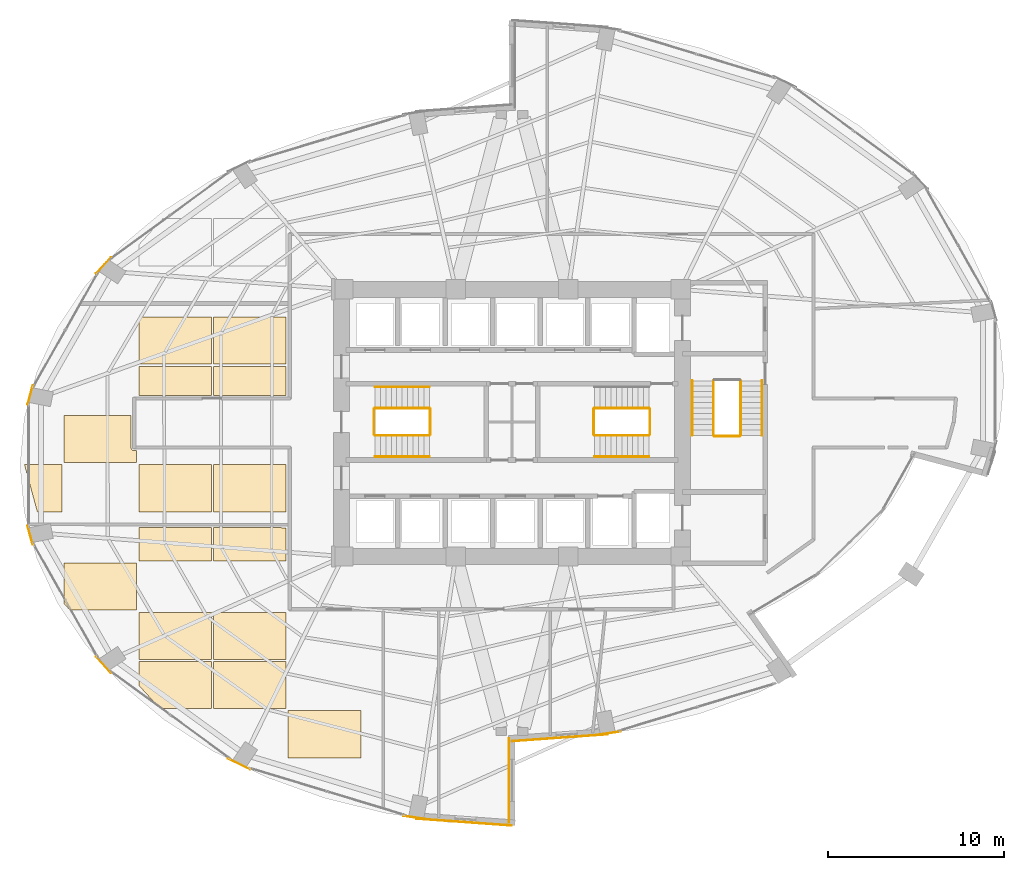
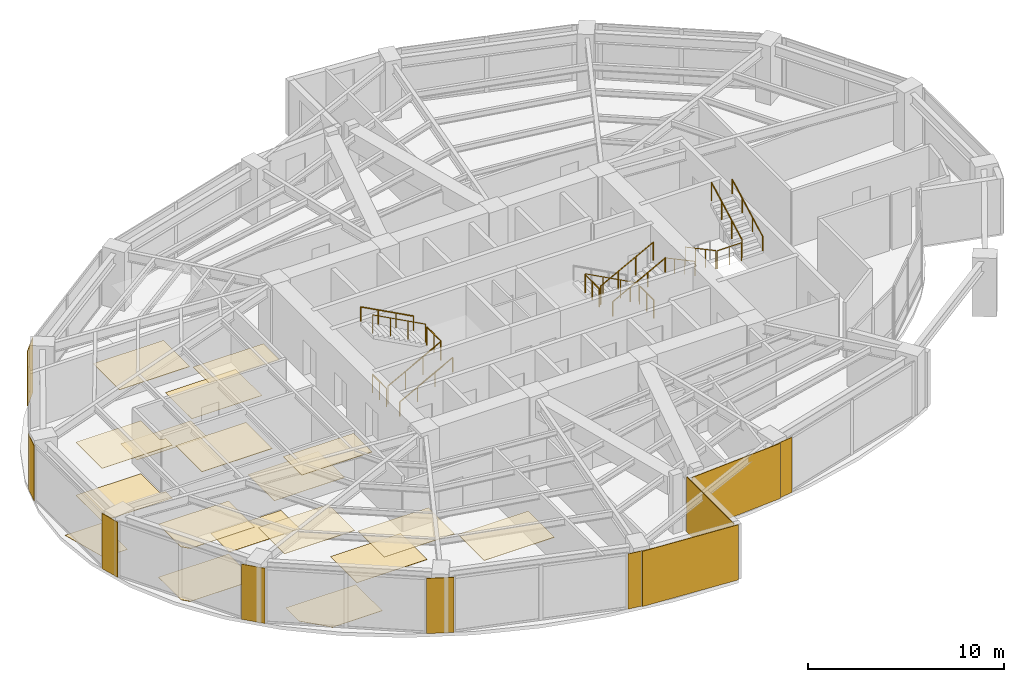
# One storey, part 23 of 24: 28 coverings, 16 railings.
"""IFC4 building model written with IfcOpenShell, lengths in metres."""

from ifc_helpers import new_model, si_unit, direction, frame, origin, origin_2d, place, context, subcontext, project, spatial, polyline, rectangle, circle, outline, extrude, material, layer, layer_set, type_object, element, save


model = new_model("IFC4")

# Units and contexts
model_context = context("Model", 3, precision=1e-05, world=origin(), true_north=direction((0.0, 1.0)))
body_context = subcontext(model_context, "Body", "Model", "MODEL_VIEW")
ifc_project = project(units=[si_unit("LENGTHUNIT", "METRE"), si_unit("AREAUNIT", "SQUARE_METRE"), si_unit("VOLUMEUNIT", "CUBIC_METRE"), si_unit("PLANEANGLEUNIT", "RADIAN"), si_unit("MASSUNIT", "GRAM", prefix="KILO")], contexts=[model_context])

# Site, building, storey
site_placement = place(None, origin())
site = spatial("IfcSite", under=ifc_project, at=site_placement, CompositionType="ELEMENT")
building_placement = place(site_placement, origin())
building = spatial("IfcBuilding", under=site, at=building_placement, Name="Lazwardi Medical Tower", CompositionType="ELEMENT")
storey_placement = place(building_placement, frame((0.0, 0.0, 61.679931640625)))
storey = spatial("IfcBuildingStorey", under=building, at=storey_placement, Name="L15", CompositionType="ELEMENT", Elevation=61.679931640625)

# Coverings
ifc_material_1 = material(Name="Anodised bronze aluminium cassette cladding", Category="aluminium")
ifc_layer_1 = layer(ifc_material_1, 0.030029296875)
ifc_layer_set_1 = layer_set([ifc_layer_1], Name="Anodised bronze aluminium cassette cladding")
covering_type_1 = type_object("IfcCoveringType", Name="COV-CLD-BRZ", PredefinedType="CLADDING", material=ifc_layer_set_1)
covering_1_placement = place(storey_placement, frame((41.454345703125, 10.33251953125, 0.0), z_axis=(0.0, 0.0, 1.0), x_axis=(0.98957259946, 0.144034962415, 0.0)))
element("IfcCovering", 1, at=covering_1_placement, inside=storey, type_object=covering_type_1, Name="L15 Mega-column bronze cassette cover M01", PredefinedType="CLADDING", context=body_context, shape_type="SweptSolid", body=[
    extrude(rectangle(XDim=1.49951171875, YDim=0.030029296875, at=origin_2d()), origin(), (0.0, 0.0, 1.0), 3.427978515625),
])
covering_2_placement = place(storey_placement, frame((12.75390625, 36.96728515625, 0.0), z_axis=(0.0, 0.0, 1.0), x_axis=(-0.674252120961, -0.738501237223, 0.0)))
element("IfcCovering", 2, at=covering_2_placement, inside=storey, type_object=covering_type_1, Name="L15 Mega-column bronze cassette cover M11", PredefinedType="CLADDING", context=body_context, shape_type="SweptSolid", body=[
    extrude(rectangle(XDim=1.24658203125, YDim=0.030029296875, at=origin_2d()), origin(), (0.0, 0.0, 1.0), 3.427978515625),
])
for number, where, z_axis, x_axis, name in (
    (3, (8.579345703125, 29.591796875, 0.0), (0.0, 0.0, 1.0), (-0.262283496593, -0.964990863902, 0.0), "L15 Mega-column bronze cassette cover M12"),
    (4, (8.579345703125, 21.6083984375, 0.0), (0.0, 0.0, 1.0), (0.262283496593, -0.964990863902, 0.0), "L15 Mega-column bronze cassette cover M13"),
):
    element("IfcCovering", number, at=place(storey_placement, frame(where, z_axis=z_axis, x_axis=x_axis)), inside=storey, type_object=covering_type_1, Name=name, PredefinedType="CLADDING", context=body_context, shape_type="SweptSolid", body=[
        extrude(rectangle(XDim=1.12548828125, YDim=0.030029296875, at=origin_2d()), origin(), (0.0, 0.0, 1.0), 3.427978515625),
    ])
covering_3_placement = place(storey_placement, frame((12.75390625, 14.232666015625, 0.0), z_axis=(0.0, 0.0, 1.0), x_axis=(0.674252120961, -0.738501237223, 0.0)))
element("IfcCovering", 5, at=covering_3_placement, inside=storey, type_object=covering_type_1, Name="L15 Mega-column bronze cassette cover M14", PredefinedType="CLADDING", context=body_context, shape_type="SweptSolid", body=[
    extrude(rectangle(XDim=1.24658203125, YDim=0.030029296875, at=origin_2d()), origin(), (0.0, 0.0, 1.0), 3.427978515625),
])
covering_4_placement = place(storey_placement, frame((20.467529296875, 8.587646484375, 0.0), z_axis=(0.0, 0.0, 1.0), x_axis=(0.898334492373, -0.439312121178, 0.0)))
element("IfcCovering", 6, at=covering_4_placement, inside=storey, type_object=covering_type_1, Name="L15 Mega-column bronze cassette cover M15", PredefinedType="CLADDING", context=body_context, shape_type="SweptSolid", body=[
    extrude(rectangle(XDim=1.400390625, YDim=0.030029296875, at=origin_2d()), origin(), (0.0, 0.0, 1.0), 3.427978515625),
])
covering_5_placement = place(storey_placement, frame((30.545654296875, 5.53271484375, 0.0), z_axis=(0.0, 0.0, 1.0), x_axis=(0.98957259946, -0.144034962415, 0.0)))
element("IfcCovering", 7, at=covering_5_placement, inside=storey, type_object=covering_type_1, Name="L15 Mega-column bronze cassette cover M16", PredefinedType="CLADDING", context=body_context, shape_type="SweptSolid", body=[
    extrude(rectangle(XDim=1.49951171875, YDim=0.030029296875, at=origin_2d()), origin(), (0.0, 0.0, 1.0), 3.427978515625),
])
ifc_material_2 = material(Name="Turquoise glazed ceramic tilework cladding", Category="masonry")
ifc_layer_2 = layer(ifc_material_2, 0.034912109375)
ifc_layer_set_2 = layer_set([ifc_layer_2], Name="Turquoise glazed ceramic tilework cladding")
covering_type_2 = type_object("IfcCoveringType", Name="COV-CLD-TRQ", PredefinedType="CLADDING", material=ifc_layer_set_2)
covering_6_placement = place(storey_placement, frame((38.728271484375, 10.080322265625, 0.0), z_axis=(0.0, 0.0, 1.0), x_axis=(0.997421404513, 0.071767275412, 0.0)))
element("IfcCovering", 8, at=covering_6_placement, inside=storey, type_object=covering_type_2, Name="L15 Turquoise glazed ceramic tilework cladding", PredefinedType="CLADDING", context=body_context, shape_type="SweptSolid", body=[
    extrude(rectangle(XDim=5.4453125, YDim=0.034912109375, at=origin_2d()), origin(), (0.0, 0.0, 1.0), 3.427978515625),
])
covering_7_placement = place(storey_placement, frame((33.271484375, 5.280517578125, 0.0), z_axis=(0.0, 0.0, 1.0), x_axis=(0.997420903458, -0.071774238726, 0.0)))
element("IfcCovering", 9, at=covering_7_placement, inside=storey, type_object=covering_type_2, Name="L15 Turquoise glazed ceramic tilework cladding", PredefinedType="CLADDING", context=body_context, shape_type="SweptSolid", body=[
    extrude(rectangle(XDim=5.44482421875, YDim=0.034912109375, at=origin_2d()), origin(), (0.0, 0.0, 1.0), 3.427978515625),
])
covering_8_placement = place(storey_placement, frame((35.824462890625, 7.659912109375, 0.0), z_axis=(0.0, 0.0, 1.0), x_axis=(0.0, 1.0, 0.0)))
element("IfcCovering", 10, at=covering_8_placement, inside=storey, type_object=covering_type_2, Name="L15 Turquoise glazed ceramic tilework iwan panel", PredefinedType="CLADDING", context=body_context, shape_type="SweptSolid", body=[
    extrude(rectangle(XDim=4.800048828125, YDim=0.034912109375, at=origin_2d()), origin(), (0.0, 0.0, 1.0), 3.427978515625),
])
ifc_material_3 = material(Name="Acoustic mineral fibre tile")
ifc_layer_3 = layer(ifc_material_3, 0.02490234375)
ifc_layer_set_3 = layer_set([ifc_layer_3], Name="Acoustic mineral fibre tile")
covering_type_3 = type_object("IfcCoveringType", Name="COV-CLG-01", PredefinedType="CEILING", material=ifc_layer_set_3)
covering_9_placement = place(storey_placement, frame((0.0, 0.0, 3.282958984375)))
element("IfcCovering", 11, at=covering_9_placement, inside=storey, type_object=covering_type_3, Name="L15 Clinical Acoustic Ceiling 1", PredefinedType="CEILING", context=body_context, shape_type="SweptSolid", body=[
    extrude(outline(polyline([(10.512939453125, 17.707275390625), (10.846435546875, 17.342529296875), (14.642822265625, 17.342529296875), (14.642822265625, 20.0224609375), (10.512939453125, 20.0224609375), (10.512939453125, 17.707275390625)])), origin(), (0.0, 0.0, 1.0), 0.025146484375),
])
covering_10_placement = place(storey_placement, frame((0.0, 0.0, 3.282958984375)))
element("IfcCovering", 12, at=covering_10_placement, inside=storey, type_object=covering_type_3, Name="L15 Clinical Acoustic Ceiling 2", PredefinedType="CEILING", context=body_context, shape_type="SweptSolid", body=[
    extrude(outline(polyline([(14.642822265625, 26.425048828125), (14.5, 26.425048828125), (14.49560546875, 26.425048828125), (14.486328125, 26.425537109375), (14.4794921875, 26.42626953125), (14.47021484375, 26.427490234375), (14.4619140625, 26.42919921875), (14.452880859375, 26.431396484375), (14.44580078125, 26.43359375), (14.43701171875, 26.436767578125), (14.42919921875, 26.43994140625), (14.4208984375, 26.444091796875), (14.4140625, 26.447509765625), (14.406005859375, 26.452392578125), (14.3994140625, 26.456787109375), (14.391845703125, 26.46240234375), (14.38623046875, 26.467041015625), (14.37939453125, 26.473388671875), (14.373291015625, 26.479248046875), (14.3671875, 26.486083984375), (14.362548828125, 26.49169921875), (14.35693359375, 26.499267578125), (14.352294921875, 26.506103515625), (14.34765625, 26.513916015625), (14.343994140625, 26.520751953125), (14.340087890625, 26.529296875), (14.336669921875, 26.537109375), (14.33349609375, 26.5458984375), (14.33154296875, 26.552734375), (14.3291015625, 26.56201171875), (14.32763671875, 26.5703125), (14.326416015625, 26.57958984375), (14.32568359375, 26.58642578125), (14.3251953125, 26.595703125), (14.324951171875, 26.60009765625), (14.324951171875, 28.422607421875), (10.512939453125, 28.422607421875), (10.512939453125, 25.742431640625), (14.642822265625, 25.742431640625), (14.642822265625, 26.425048828125)])), origin(), (0.0, 0.0, 1.0), 0.025146484375),
])
covering_11_placement = place(storey_placement, frame((0.0, 0.0, 3.282958984375)))
element("IfcCovering", 13, at=covering_11_placement, inside=storey, type_object=covering_type_3, Name="L15 Clinical Acoustic Ceiling 3", PredefinedType="CEILING", context=body_context, shape_type="SweptSolid", body=[
    extrude(outline(polyline([(18.892822265625, 14.54248046875), (18.892822265625, 17.222412109375), (14.762939453125, 17.222412109375), (14.762939453125, 14.54248046875), (18.892822265625, 14.54248046875)])), origin(), (0.0, 0.0, 1.0), 0.025146484375),
])
covering_12_placement = place(storey_placement, frame((0.0, 0.0, 3.282958984375)))
element("IfcCovering", 14, at=covering_12_placement, inside=storey, type_object=covering_type_3, Name="L15 Clinical Acoustic Ceiling 4", PredefinedType="CEILING", context=body_context, shape_type="SweptSolid", body=[
    extrude(outline(polyline([(18.892822265625, 22.9423828125), (18.892822265625, 25.62255859375), (14.762939453125, 25.62255859375), (14.762939453125, 22.9423828125), (18.892822265625, 22.9423828125)])), origin(), (0.0, 0.0, 1.0), 0.025146484375),
])
covering_13_placement = place(storey_placement, frame((0.0, 0.0, 3.282958984375)))
element("IfcCovering", 15, at=covering_13_placement, inside=storey, type_object=covering_type_3, Name="L15 Clinical Acoustic Ceiling 5", PredefinedType="CEILING", context=body_context, shape_type="SweptSolid", body=[
    extrude(outline(polyline([(18.892822265625, 31.342529296875), (18.892822265625, 34.0224609375), (14.762939453125, 34.0224609375), (14.762939453125, 31.342529296875), (18.892822265625, 31.342529296875)])), origin(), (0.0, 0.0, 1.0), 0.025146484375),
])
covering_14_placement = place(storey_placement, frame((0.0, 0.0, 3.282958984375)))
element("IfcCovering", 16, at=covering_14_placement, inside=storey, type_object=covering_type_3, Name="L15 Clinical Acoustic Ceiling 6", PredefinedType="CEILING", context=body_context, shape_type="SweptSolid", body=[
    extrude(outline(polyline([(23.142822265625, 11.742431640625), (23.142822265625, 14.422607421875), (19.012939453125, 14.422607421875), (19.012939453125, 11.742431640625), (23.142822265625, 11.742431640625)])), origin(), (0.0, 0.0, 1.0), 0.025146484375),
])
covering_15_placement = place(storey_placement, frame((0.0, 0.0, 3.282958984375)))
element("IfcCovering", 17, at=covering_15_placement, inside=storey, type_object=covering_type_3, Name="L15 Clinical Acoustic Ceiling 7", PredefinedType="CEILING", context=body_context, shape_type="SweptSolid", body=[
    extrude(outline(polyline([(23.142822265625, 22.035400390625), (19.012939453125, 22.044189453125), (19.012939453125, 20.142578125), (23.142822265625, 20.142578125), (23.142822265625, 22.035400390625)])), origin(), (0.0, 0.0, 1.0), 0.025146484375),
])
covering_16_placement = place(storey_placement, frame((0.0, 0.0, 3.282958984375)))
element("IfcCovering", 18, at=covering_16_placement, inside=storey, type_object=covering_type_3, Name="L15 Clinical Acoustic Ceiling 8", PredefinedType="CEILING", context=body_context, shape_type="SweptSolid", body=[
    extrude(outline(polyline([(19.012939453125, 29.574951171875), (23.142822265625, 29.574951171875), (23.142822265625, 31.222412109375), (19.012939453125, 31.222412109375), (19.012939453125, 29.574951171875)])), origin(), (0.0, 0.0, 1.0), 0.025146484375),
])
covering_17_placement = place(storey_placement, frame((0.0, 0.0, 3.282958984375)))
element("IfcCovering", 19, at=covering_17_placement, inside=storey, type_object=covering_type_3, Name="L15 Clinical Acoustic Ceiling 10", PredefinedType="CEILING", context=body_context, shape_type="SweptSolid", body=[
    extrude(outline(polyline([(27.392822265625, 8.9423828125), (27.392822265625, 11.62255859375), (23.262939453125, 11.62255859375), (23.262939453125, 8.9423828125), (27.392822265625, 8.9423828125)])), origin(), (0.0, 0.0, 1.0), 0.025146484375),
])
ifc_material_4 = material(Name="Anti-static hospital vinyl sheet flooring")
ifc_layer_4 = layer(ifc_material_4, 0.014892578125)
ifc_layer_set_4 = layer_set([ifc_layer_4], Name="Anti-static hospital vinyl sheet flooring")
covering_type_4 = type_object("IfcCoveringType", Name="COV-FLR-01", PredefinedType="FLOORING", material=ifc_layer_set_4)
covering_18_placement = place(storey_placement, origin())
element("IfcCovering", 20, at=covering_18_placement, inside=storey, type_object=covering_type_4, Name="L15 Clinical Vinyl Flooring 1", PredefinedType="FLOORING", context=body_context, shape_type="SweptSolid", body=[
    extrude(outline(polyline([(8.26904296875, 25.62255859375), (8.262939453125, 25.60009765625), (8.98681640625, 22.9423828125), (10.392822265625, 22.9423828125), (10.392822265625, 25.62255859375), (8.26904296875, 25.62255859375)])), origin(), (0.0, 0.0, 1.0), 0.01513671875),
])
covering_19_placement = place(storey_placement, origin())
element("IfcCovering", 21, at=covering_19_placement, inside=storey, type_object=covering_type_4, Name="L15 Clinical Vinyl Flooring 2", PredefinedType="FLOORING", context=body_context, shape_type="SweptSolid", body=[
    extrude(outline(polyline([(10.512939453125, 17.707275390625), (10.846435546875, 17.342529296875), (14.642822265625, 17.342529296875), (14.642822265625, 20.0224609375), (10.512939453125, 20.0224609375), (10.512939453125, 17.707275390625)])), origin(), (0.0, 0.0, 1.0), 0.01513671875),
])
covering_20_placement = place(storey_placement, origin())
element("IfcCovering", 22, at=covering_20_placement, inside=storey, type_object=covering_type_4, Name="L15 Clinical Vinyl Flooring 3", PredefinedType="FLOORING", context=body_context, shape_type="SweptSolid", body=[
    extrude(outline(polyline([(14.642822265625, 26.425048828125), (14.5, 26.425048828125), (14.49560546875, 26.425048828125), (14.486328125, 26.425537109375), (14.4794921875, 26.42626953125), (14.47021484375, 26.427490234375), (14.4619140625, 26.42919921875), (14.452880859375, 26.431396484375), (14.44580078125, 26.43359375), (14.43701171875, 26.436767578125), (14.42919921875, 26.43994140625), (14.4208984375, 26.444091796875), (14.4140625, 26.447509765625), (14.406005859375, 26.452392578125), (14.3994140625, 26.456787109375), (14.391845703125, 26.46240234375), (14.38623046875, 26.467041015625), (14.37939453125, 26.473388671875), (14.373291015625, 26.479248046875), (14.3671875, 26.486083984375), (14.362548828125, 26.49169921875), (14.35693359375, 26.499267578125), (14.352294921875, 26.506103515625), (14.34765625, 26.513916015625), (14.343994140625, 26.520751953125), (14.340087890625, 26.529296875), (14.336669921875, 26.537109375), (14.33349609375, 26.5458984375), (14.33154296875, 26.552734375), (14.3291015625, 26.56201171875), (14.32763671875, 26.5703125), (14.326416015625, 26.57958984375), (14.32568359375, 26.58642578125), (14.3251953125, 26.595703125), (14.324951171875, 26.60009765625), (14.324951171875, 28.422607421875), (10.512939453125, 28.422607421875), (10.512939453125, 25.742431640625), (14.642822265625, 25.742431640625), (14.642822265625, 26.425048828125)])), origin(), (0.0, 0.0, 1.0), 0.01513671875),
])
covering_21_placement = place(storey_placement, origin())
element("IfcCovering", 23, at=covering_21_placement, inside=storey, type_object=covering_type_4, Name="L15 Clinical Vinyl Flooring 4", PredefinedType="FLOORING", context=body_context, shape_type="SweptSolid", body=[
    extrude(outline(polyline([(14.762939453125, 13.061279296875), (15.969482421875, 11.742431640625), (18.892822265625, 11.742431640625), (18.892822265625, 14.422607421875), (14.762939453125, 14.422607421875), (14.762939453125, 13.061279296875)])), origin(), (0.0, 0.0, 1.0), 0.01513671875),
])
covering_22_placement = place(storey_placement, origin())
element("IfcCovering", 24, at=covering_22_placement, inside=storey, type_object=covering_type_4, Name="L15 Clinical Vinyl Flooring 5", PredefinedType="FLOORING", context=body_context, shape_type="SweptSolid", body=[
    extrude(outline(polyline([(18.892822265625, 22.04443359375), (14.762939453125, 22.05322265625), (14.762939453125, 20.142578125), (18.892822265625, 20.142578125), (18.892822265625, 22.04443359375)])), origin(), (0.0, 0.0, 1.0), 0.01513671875),
])
covering_23_placement = place(storey_placement, origin())
element("IfcCovering", 25, at=covering_23_placement, inside=storey, type_object=covering_type_4, Name="L15 Clinical Vinyl Flooring 6", PredefinedType="FLOORING", context=body_context, shape_type="SweptSolid", body=[
    extrude(outline(polyline([(14.762939453125, 29.574951171875), (18.892822265625, 29.574951171875), (18.892822265625, 31.222412109375), (14.762939453125, 31.222412109375), (14.762939453125, 29.574951171875)])), origin(), (0.0, 0.0, 1.0), 0.01513671875),
])
covering_24_placement = place(storey_placement, origin())
element("IfcCovering", 26, at=covering_24_placement, inside=storey, type_object=covering_type_4, Name="L15 Clinical Vinyl Flooring 8", PredefinedType="FLOORING", context=body_context, shape_type="SweptSolid", body=[
    extrude(outline(polyline([(23.142822265625, 14.54248046875), (23.142822265625, 17.222412109375), (19.012939453125, 17.222412109375), (19.012939453125, 14.54248046875), (23.142822265625, 14.54248046875)])), origin(), (0.0, 0.0, 1.0), 0.01513671875),
])
covering_25_placement = place(storey_placement, origin())
element("IfcCovering", 27, at=covering_25_placement, inside=storey, type_object=covering_type_4, Name="L15 Clinical Vinyl Flooring 9", PredefinedType="FLOORING", context=body_context, shape_type="SweptSolid", body=[
    extrude(outline(polyline([(23.142822265625, 22.9423828125), (23.142822265625, 25.62255859375), (19.012939453125, 25.62255859375), (19.012939453125, 22.9423828125), (23.142822265625, 22.9423828125)])), origin(), (0.0, 0.0, 1.0), 0.01513671875),
])
covering_26_placement = place(storey_placement, origin())
element("IfcCovering", 28, at=covering_26_placement, inside=storey, type_object=covering_type_4, Name="L15 Clinical Vinyl Flooring 10", PredefinedType="FLOORING", context=body_context, shape_type="SweptSolid", body=[
    extrude(outline(polyline([(23.142822265625, 31.342529296875), (23.142822265625, 34.0224609375), (19.012939453125, 34.0224609375), (19.012939453125, 31.342529296875), (23.142822265625, 31.342529296875)])), origin(), (0.0, 0.0, 1.0), 0.01513671875),
])

# Railings
ifc_material_5 = material(Name="Stainless steel Grade 316", Category="steel")
railing_type_1 = type_object("IfcRailingType", Name="RLG-GRD-1150", PredefinedType="GUARDRAIL", material=ifc_material_5)
railing_1_placement = place(storey_placement, frame((28.199951171875, 27.2900390625, 0.165771484375)))
element("IfcRailing", 29, at=railing_1_placement, inside=storey, type_object=railing_type_1, Name="L15 ST1 stair guard 1", PredefinedType="GUARDRAIL", context=body_context, shape_type="SweptSolid", body=[
    extrude(circle(Radius=0.02392578125, at=origin_2d()), frame((0.0, 0.0, 1.1259765625), z_axis=(0.881783298633, 0.0, 0.471654761719), x_axis=(0.0, 1.0, 0.0)), (0.0, 0.0, 1.0), 3.515625),
    extrude(circle(Radius=0.02099609375, at=origin_2d()), origin(), (0.0, 0.0, 1.0), 1.099853515625),
    extrude(circle(Radius=0.02099609375, at=origin_2d()), frame((1.033447265625, 0.0, 0.552734375)), (0.0, 0.0, 1.0), 1.099853515625),
    extrude(circle(Radius=0.02099609375, at=origin_2d()), frame((2.066650390625, 0.0, 1.10546875)), (0.0, 0.0, 1.0), 1.099853515625),
    extrude(circle(Radius=0.02099609375, at=origin_2d()), frame((3.10009765625, 0.0, 1.658203125)), (0.0, 0.0, 1.0), 1.099853515625),
])
railing_2_placement = place(storey_placement, frame((31.35009765625, 27.340087890625, 1.823974609375)))
element("IfcRailing", 30, at=railing_2_placement, inside=storey, type_object=railing_type_1, Name="L15 ST1 stair guard 2", PredefinedType="GUARDRAIL", context=body_context, shape_type="SweptSolid", body=[
    extrude(circle(Radius=0.02392578125, at=origin_2d()), frame((0.0, 0.0, 1.1259765625), z_axis=(0.0, 1.0, 0.0), x_axis=(-1.0, 0.0, 0.0)), (0.0, 0.0, 1.0), 1.43994140625),
    extrude(circle(Radius=0.02099609375, at=origin_2d()), origin(), (0.0, 0.0, 1.0), 1.099853515625),
    extrude(circle(Radius=0.02099609375, at=origin_2d()), frame((0.0, 0.719970703125, 0.0)), (0.0, 0.0, 1.0), 1.099853515625),
    extrude(circle(Radius=0.02099609375, at=origin_2d()), frame((0.0, 1.43994140625, 0.0)), (0.0, 0.0, 1.0), 1.099853515625),
])
railing_3_placement = place(storey_placement, frame((31.300048828125, 28.830078125, 1.989990234375)))
element("IfcRailing", 31, at=railing_3_placement, inside=storey, type_object=railing_type_1, Name="L15 ST1 stair guard 3", PredefinedType="GUARDRAIL", context=body_context, shape_type="SweptSolid", body=[
    extrude(circle(Radius=0.02392578125, at=origin_2d()), frame((0.0, 0.0, 1.1259765625), z_axis=(-0.881812178953, 0.0, 0.471600764472), x_axis=(0.0, -1.0, 0.0)), (0.0, 0.0, 1.0), 3.515625),
    extrude(circle(Radius=0.02099609375, at=origin_2d()), origin(), (0.0, 0.0, 1.0), 1.099853515625),
    extrude(circle(Radius=0.02099609375, at=origin_2d()), frame((-1.033447265625, 0.0, 0.552734375)), (0.0, 0.0, 1.0), 1.099853515625),
    extrude(circle(Radius=0.02099609375, at=origin_2d()), frame((-2.066650390625, 0.0, 1.105224609375)), (0.0, 0.0, 1.0), 1.099853515625),
    extrude(circle(Radius=0.02099609375, at=origin_2d()), frame((-3.10009765625, 0.0, 1.657958984375)), (0.0, 0.0, 1.0), 1.099853515625),
])
railing_4_placement = place(storey_placement, frame((28.14990234375, 27.340087890625, 0.0)))
element("IfcRailing", 32, at=railing_4_placement, inside=storey, type_object=railing_type_1, Name="L15 ST1 stair guard 4", PredefinedType="GUARDRAIL", context=body_context, shape_type="SweptSolid", body=[
    extrude(circle(Radius=0.02392578125, at=origin_2d()), frame((0.0, 0.0, 1.1259765625), z_axis=(0.0, 1.0, 0.0), x_axis=(-1.0, 0.0, 0.0)), (0.0, 0.0, 1.0), 1.43994140625),
    extrude(circle(Radius=0.02099609375, at=origin_2d()), origin(), (0.0, 0.0, 1.0), 1.099853515625),
    extrude(circle(Radius=0.02099609375, at=origin_2d()), frame((0.0, 0.719970703125, 0.0)), (0.0, 0.0, 1.0), 1.099853515625),
    extrude(circle(Radius=0.02099609375, at=origin_2d()), frame((0.0, 1.43994140625, 0.0)), (0.0, 0.0, 1.0), 1.099853515625),
])
railing_5_placement = place(storey_placement, frame((43.800048828125, 28.830078125, 0.165771484375)))
element("IfcRailing", 33, at=railing_5_placement, inside=storey, type_object=railing_type_1, Name="L15 ST2 stair guard 1", PredefinedType="GUARDRAIL", context=body_context, shape_type="SweptSolid", body=[
    extrude(circle(Radius=0.02392578125, at=origin_2d()), frame((0.0, 0.0, 1.1259765625), z_axis=(-0.881783298633, 0.0, 0.471654761719), x_axis=(0.0, -1.0, 0.0)), (0.0, 0.0, 1.0), 3.515625),
    extrude(circle(Radius=0.02099609375, at=origin_2d()), origin(), (0.0, 0.0, 1.0), 1.099853515625),
    extrude(circle(Radius=0.02099609375, at=origin_2d()), frame((-1.033447265625, 0.0, 0.552734375)), (0.0, 0.0, 1.0), 1.099853515625),
    extrude(circle(Radius=0.02099609375, at=origin_2d()), frame((-2.066650390625, 0.0, 1.10546875)), (0.0, 0.0, 1.0), 1.099853515625),
    extrude(circle(Radius=0.02099609375, at=origin_2d()), frame((-3.10009765625, 0.0, 1.658203125)), (0.0, 0.0, 1.0), 1.099853515625),
])
railing_6_placement = place(storey_placement, frame((40.64990234375, 28.780029296875, 1.823974609375)))
element("IfcRailing", 34, at=railing_6_placement, inside=storey, type_object=railing_type_1, Name="L15 ST2 stair guard 2", PredefinedType="GUARDRAIL", context=body_context, shape_type="SweptSolid", body=[
    extrude(circle(Radius=0.02392578125, at=origin_2d()), frame((0.0, 0.0, 1.1259765625), z_axis=(0.0, -1.0, 0.0), x_axis=(1.0, 0.0, 0.0)), (0.0, 0.0, 1.0), 1.43994140625),
    extrude(circle(Radius=0.02099609375, at=origin_2d()), origin(), (0.0, 0.0, 1.0), 1.099853515625),
    extrude(circle(Radius=0.02099609375, at=origin_2d()), frame((0.0, -0.719970703125, 0.0)), (0.0, 0.0, 1.0), 1.099853515625),
    extrude(circle(Radius=0.02099609375, at=origin_2d()), frame((0.0, -1.43994140625, 0.0)), (0.0, 0.0, 1.0), 1.099853515625),
])
railing_7_placement = place(storey_placement, frame((40.699951171875, 27.2900390625, 1.989990234375)))
element("IfcRailing", 35, at=railing_7_placement, inside=storey, type_object=railing_type_1, Name="L15 ST2 stair guard 3", PredefinedType="GUARDRAIL", context=body_context, shape_type="SweptSolid", body=[
    extrude(circle(Radius=0.02392578125, at=origin_2d()), frame((0.0, 0.0, 1.1259765625), z_axis=(0.881812178953, 0.0, 0.471600764472), x_axis=(0.0, 1.0, 0.0)), (0.0, 0.0, 1.0), 3.515625),
    extrude(circle(Radius=0.02099609375, at=origin_2d()), origin(), (0.0, 0.0, 1.0), 1.099853515625),
    extrude(circle(Radius=0.02099609375, at=origin_2d()), frame((1.033447265625, 0.0, 0.552734375)), (0.0, 0.0, 1.0), 1.099853515625),
    extrude(circle(Radius=0.02099609375, at=origin_2d()), frame((2.066650390625, 0.0, 1.105224609375)), (0.0, 0.0, 1.0), 1.099853515625),
    extrude(circle(Radius=0.02099609375, at=origin_2d()), frame((3.10009765625, 0.0, 1.657958984375)), (0.0, 0.0, 1.0), 1.099853515625),
])
railing_8_placement = place(storey_placement, frame((43.85009765625, 28.780029296875, 0.0)))
element("IfcRailing", 36, at=railing_8_placement, inside=storey, type_object=railing_type_1, Name="L15 ST2 stair guard 4", PredefinedType="GUARDRAIL", context=body_context, shape_type="SweptSolid", body=[
    extrude(circle(Radius=0.02392578125, at=origin_2d()), frame((0.0, 0.0, 1.1259765625), z_axis=(0.0, -1.0, 0.0), x_axis=(1.0, 0.0, 0.0)), (0.0, 0.0, 1.0), 1.43994140625),
    extrude(circle(Radius=0.02099609375, at=origin_2d()), origin(), (0.0, 0.0, 1.0), 1.099853515625),
    extrude(circle(Radius=0.02099609375, at=origin_2d()), frame((0.0, -0.719970703125, 0.0)), (0.0, 0.0, 1.0), 1.099853515625),
    extrude(circle(Radius=0.02099609375, at=origin_2d()), frame((0.0, -1.43994140625, 0.0)), (0.0, 0.0, 1.0), 1.099853515625),
])
railing_9_placement = place(storey_placement, frame((47.469970703125, 30.39990234375, 0.165771484375)))
element("IfcRailing", 37, at=railing_9_placement, inside=storey, type_object=railing_type_1, Name="L15 ST3 stair guard 1", PredefinedType="GUARDRAIL", context=body_context, shape_type="SweptSolid", body=[
    extrude(circle(Radius=0.02392578125, at=origin_2d()), frame((0.0, 0.0, 1.1259765625), z_axis=(0.0, -0.881767849116, 0.471683644262), x_axis=(1.0, 0.0, 0.0)), (0.0, 0.0, 1.0), 3.515380859375),
    extrude(circle(Radius=0.02099609375, at=origin_2d()), origin(), (0.0, 0.0, 1.0), 1.099853515625),
    extrude(circle(Radius=0.02099609375, at=origin_2d()), frame((0.0, -1.033203125, 0.552734375)), (0.0, 0.0, 1.0), 1.099853515625),
    extrude(circle(Radius=0.02099609375, at=origin_2d()), frame((0.0, -2.066650390625, 1.10546875)), (0.0, 0.0, 1.0), 1.099853515625),
    extrude(circle(Radius=0.02099609375, at=origin_2d()), frame((0.0, -3.099853515625, 1.658203125)), (0.0, 0.0, 1.0), 1.099853515625),
])
railing_10_placement = place(storey_placement, frame((47.52001953125, 27.25, 1.823974609375)))
element("IfcRailing", 38, at=railing_10_placement, inside=storey, type_object=railing_type_1, Name="L15 ST3 stair guard 2", PredefinedType="GUARDRAIL", context=body_context, shape_type="SweptSolid", body=[
    extrude(circle(Radius=0.02392578125, at=origin_2d()), frame((0.0, 0.0, 1.1259765625), z_axis=(1.0, 0.0, 0.0), x_axis=(0.0, 1.0, 0.0)), (0.0, 0.0, 1.0), 1.43994140625),
    extrude(circle(Radius=0.02099609375, at=origin_2d()), origin(), (0.0, 0.0, 1.0), 1.099853515625),
    extrude(circle(Radius=0.02099609375, at=origin_2d()), frame((0.719970703125, 0.0, 0.0)), (0.0, 0.0, 1.0), 1.099853515625),
    extrude(circle(Radius=0.02099609375, at=origin_2d()), frame((1.43994140625, 0.0, 0.0)), (0.0, 0.0, 1.0), 1.099853515625),
])
railing_11_placement = place(storey_placement, frame((49.010009765625, 27.300048828125, 1.989990234375)))
element("IfcRailing", 39, at=railing_11_placement, inside=storey, type_object=railing_type_1, Name="L15 ST3 stair guard 3", PredefinedType="GUARDRAIL", context=body_context, shape_type="SweptSolid", body=[
    extrude(circle(Radius=0.02392578125, at=origin_2d()), frame((0.0, 0.0, 1.1259765625), z_axis=(0.0, 0.881796732468, 0.4716296456), x_axis=(-1.0, 0.0, 0.0)), (0.0, 0.0, 1.0), 3.515380859375),
    extrude(circle(Radius=0.02099609375, at=origin_2d()), origin(), (0.0, 0.0, 1.0), 1.099853515625),
    extrude(circle(Radius=0.02099609375, at=origin_2d()), frame((0.0, 1.033203125, 0.552734375)), (0.0, 0.0, 1.0), 1.099853515625),
    extrude(circle(Radius=0.02099609375, at=origin_2d()), frame((0.0, 2.066650390625, 1.105224609375)), (0.0, 0.0, 1.0), 1.099853515625),
    extrude(circle(Radius=0.02099609375, at=origin_2d()), frame((0.0, 3.099853515625, 1.657958984375)), (0.0, 0.0, 1.0), 1.099853515625),
])
railing_type_2 = type_object("IfcRailingType", Name="RLG-HND-920", PredefinedType="HANDRAIL", material=ifc_material_5)
railing_12_placement = place(storey_placement, frame((28.199951171875, 26.070068359375, 0.165771484375)))
element("IfcRailing", 40, at=railing_12_placement, inside=storey, type_object=railing_type_2, Name="L15 ST1 stair handrail 1", PredefinedType="HANDRAIL", context=body_context, shape_type="SweptSolid", body=[
    extrude(circle(Radius=0.02392578125, at=origin_2d()), frame((0.0, 0.0, 0.8857421875), z_axis=(0.881783298633, 0.0, 0.471654761719), x_axis=(0.0, 1.0, 0.0)), (0.0, 0.0, 1.0), 3.515625),
    extrude(circle(Radius=0.02099609375, at=origin_2d()), origin(), (0.0, 0.0, 1.0), 0.85986328125),
    extrude(circle(Radius=0.02099609375, at=origin_2d()), frame((1.033447265625, 0.0, 0.552734375)), (0.0, 0.0, 1.0), 0.85986328125),
    extrude(circle(Radius=0.02099609375, at=origin_2d()), frame((2.066650390625, 0.0, 1.10546875)), (0.0, 0.0, 1.0), 0.85986328125),
    extrude(circle(Radius=0.02099609375, at=origin_2d()), frame((3.10009765625, 0.0, 1.658203125)), (0.0, 0.0, 1.0), 0.85986328125),
])
railing_13_placement = place(storey_placement, frame((31.300048828125, 30.050048828125, 1.989990234375)))
element("IfcRailing", 41, at=railing_13_placement, inside=storey, type_object=railing_type_2, Name="L15 ST1 stair handrail 2", PredefinedType="HANDRAIL", context=body_context, shape_type="SweptSolid", body=[
    extrude(circle(Radius=0.02392578125, at=origin_2d()), frame((0.0, 0.0, 0.8857421875), z_axis=(-0.881812178953, 0.0, 0.471600764472), x_axis=(0.0, -1.0, 0.0)), (0.0, 0.0, 1.0), 3.515625),
    extrude(circle(Radius=0.02099609375, at=origin_2d()), origin(), (0.0, 0.0, 1.0), 0.85986328125),
    extrude(circle(Radius=0.02099609375, at=origin_2d()), frame((-1.033447265625, 0.0, 0.552734375)), (0.0, 0.0, 1.0), 0.85986328125),
    extrude(circle(Radius=0.02099609375, at=origin_2d()), frame((-2.066650390625, 0.0, 1.105224609375)), (0.0, 0.0, 1.0), 0.85986328125),
    extrude(circle(Radius=0.02099609375, at=origin_2d()), frame((-3.10009765625, 0.0, 1.657958984375)), (0.0, 0.0, 1.0), 0.85986328125),
])
railing_14_placement = place(storey_placement, frame((40.699951171875, 26.070068359375, 1.989990234375)))
element("IfcRailing", 42, at=railing_14_placement, inside=storey, type_object=railing_type_2, Name="L15 ST2 stair handrail 2", PredefinedType="HANDRAIL", context=body_context, shape_type="SweptSolid", body=[
    extrude(circle(Radius=0.02392578125, at=origin_2d()), frame((0.0, 0.0, 0.8857421875), z_axis=(0.881812178953, 0.0, 0.471600764472), x_axis=(0.0, 1.0, 0.0)), (0.0, 0.0, 1.0), 3.515625),
    extrude(circle(Radius=0.02099609375, at=origin_2d()), origin(), (0.0, 0.0, 1.0), 0.85986328125),
    extrude(circle(Radius=0.02099609375, at=origin_2d()), frame((1.033447265625, 0.0, 0.552734375)), (0.0, 0.0, 1.0), 0.85986328125),
    extrude(circle(Radius=0.02099609375, at=origin_2d()), frame((2.066650390625, 0.0, 1.105224609375)), (0.0, 0.0, 1.0), 0.85986328125),
    extrude(circle(Radius=0.02099609375, at=origin_2d()), frame((3.10009765625, 0.0, 1.657958984375)), (0.0, 0.0, 1.0), 0.85986328125),
])
railing_15_placement = place(storey_placement, frame((46.25, 30.39990234375, 0.165771484375)))
element("IfcRailing", 43, at=railing_15_placement, inside=storey, type_object=railing_type_2, Name="L15 ST3 stair handrail 1", PredefinedType="HANDRAIL", context=body_context, shape_type="SweptSolid", body=[
    extrude(circle(Radius=0.02392578125, at=origin_2d()), frame((0.0, 0.0, 0.8857421875), z_axis=(0.0, -0.881767849116, 0.471683644262), x_axis=(1.0, 0.0, 0.0)), (0.0, 0.0, 1.0), 3.515380859375),
    extrude(circle(Radius=0.02099609375, at=origin_2d()), origin(), (0.0, 0.0, 1.0), 0.85986328125),
    extrude(circle(Radius=0.02099609375, at=origin_2d()), frame((0.0, -1.033203125, 0.552734375)), (0.0, 0.0, 1.0), 0.85986328125),
    extrude(circle(Radius=0.02099609375, at=origin_2d()), frame((0.0, -2.066650390625, 1.10546875)), (0.0, 0.0, 1.0), 0.85986328125),
    extrude(circle(Radius=0.02099609375, at=origin_2d()), frame((0.0, -3.099853515625, 1.658203125)), (0.0, 0.0, 1.0), 0.85986328125),
])
railing_16_placement = place(storey_placement, frame((50.22998046875, 27.300048828125, 1.989990234375)))
element("IfcRailing", 44, at=railing_16_placement, inside=storey, type_object=railing_type_2, Name="L15 ST3 stair handrail 2", PredefinedType="HANDRAIL", context=body_context, shape_type="SweptSolid", body=[
    extrude(circle(Radius=0.02392578125, at=origin_2d()), frame((0.0, 0.0, 0.8857421875), z_axis=(0.0, 0.881796732468, 0.4716296456), x_axis=(-1.0, 0.0, 0.0)), (0.0, 0.0, 1.0), 3.515380859375),
    extrude(circle(Radius=0.02099609375, at=origin_2d()), origin(), (0.0, 0.0, 1.0), 0.85986328125),
    extrude(circle(Radius=0.02099609375, at=origin_2d()), frame((0.0, 1.033203125, 0.552734375)), (0.0, 0.0, 1.0), 0.85986328125),
    extrude(circle(Radius=0.02099609375, at=origin_2d()), frame((0.0, 2.066650390625, 1.105224609375)), (0.0, 0.0, 1.0), 0.85986328125),
    extrude(circle(Radius=0.02099609375, at=origin_2d()), frame((0.0, 3.099853515625, 1.657958984375)), (0.0, 0.0, 1.0), 0.85986328125),
])

save(model, "model.ifc")
